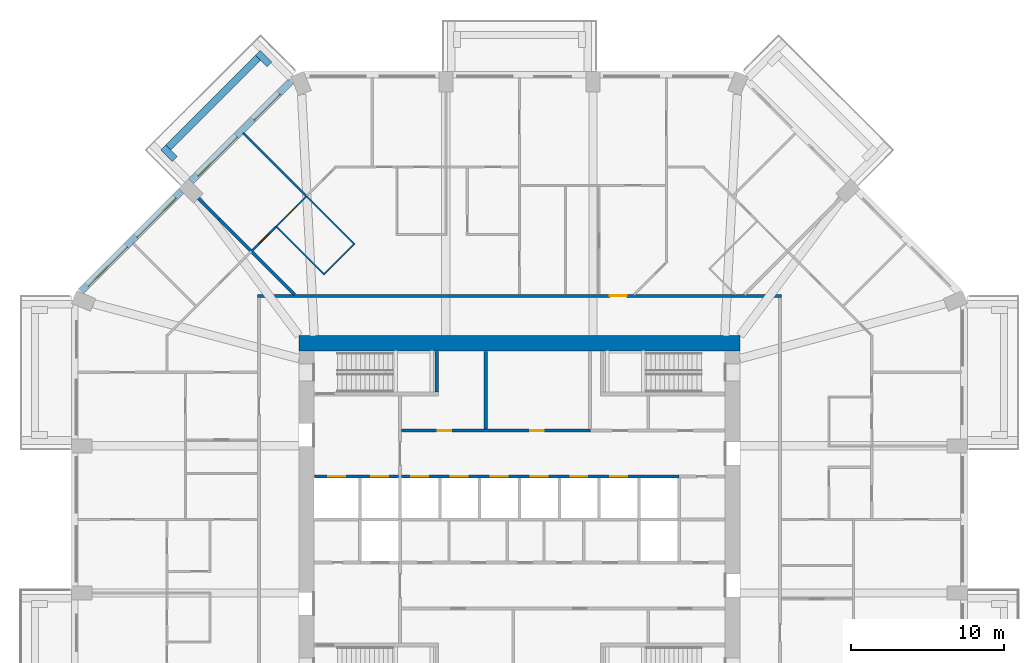
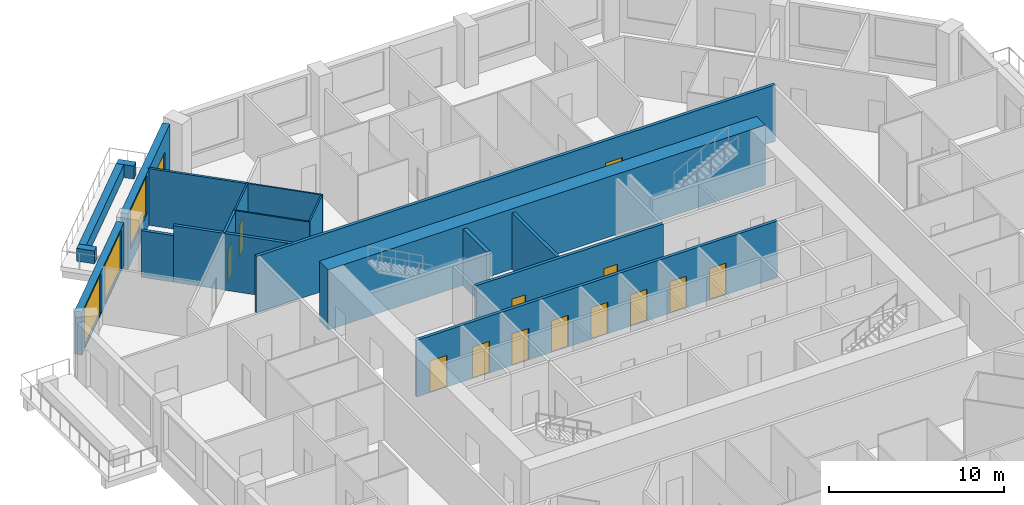
# One storey, part 8 of 13: 19 walls, 14 doors, 3 windows, 17 openings.
"""IFC4 building model written with IfcOpenShell, lengths in metres."""

from ifc_helpers import new_model, si_unit, direction, frame, frame_2d, origin, place, context, subcontext, project, spatial, rectangle, extrude, material, layer, layer_set, type_object, element, fill, save


model = new_model("IFC4")

# Units and contexts
model_context = context("Model", 3, precision=1e-05, world=origin(), true_north=direction((0.0, 1.0)))
body_context = subcontext(model_context, "Body", "Model", "MODEL_VIEW")
ifc_project = project(units=[si_unit("LENGTHUNIT", "METRE"), si_unit("AREAUNIT", "SQUARE_METRE"), si_unit("VOLUMEUNIT", "CUBIC_METRE"), si_unit("PLANEANGLEUNIT", "RADIAN"), si_unit("MASSUNIT", "GRAM", prefix="KILO")], contexts=[model_context])

# Site, building, storey
site_placement = place(None, origin())
site = spatial("IfcSite", under=ifc_project, at=site_placement, CompositionType="ELEMENT")
building_placement = place(site_placement, origin())
building = spatial("IfcBuilding", under=site, at=building_placement, Name="Msitu Wima Residences", CompositionType="ELEMENT")
storey_placement = place(building_placement, frame((0.0, 0.0, 33.89990234375)))
storey = spatial("IfcBuildingStorey", under=building, at=storey_placement, Name="L07", CompositionType="ELEMENT", Elevation=33.89990234375)

# Walls
ifc_material_1 = material(Name="Facing brick")
ifc_layer_1 = layer(ifc_material_1, 0.06494140625, Name="Facing brick")
ifc_material_2 = material(Name="Concrete C40/50", Category="concrete")
ifc_layer_2 = layer(ifc_material_2, 0.156005859375, Name="Concrete C40/50")
ifc_material_3 = material(Name="Waterproofing membrane")
ifc_layer_3 = layer(ifc_material_3, 0.00390625, Name="Waterproofing membrane")
ifc_material_4 = material(Name="Planting soil and planting")
ifc_layer_4 = layer(ifc_material_4, 0.22509765625, Name="Planting soil and planting")
ifc_layer_set_1 = layer_set([ifc_layer_1, ifc_layer_2, ifc_layer_3, ifc_layer_4], Name="Concrete C40/50")
wall_type_1 = type_object("IfcWallType", Name="Balcony planter PLANTER PL450", PredefinedType="USERDEFINED", material=ifc_layer_set_1)
wall_1_placement = place(storey_placement, frame((-17.0693359375, 30.125732421875, 0.0), z_axis=(0.0, 0.0, 1.0), x_axis=(-0.707106781187, -0.707106781187, 0.0)))
element("IfcWall", 1, at=wall_1_placement, inside=storey, type_object=wall_type_1, Name="Balcony planter NW0 L07", ObjectType="PLANTER", PredefinedType="USERDEFINED", context=body_context, shape_type="SweptSolid", body=[
    extrude(rectangle(XDim=8.2822265625, YDim=0.449951171875, at=frame_2d((4.14111328125, 0.0))), origin(), (0.0, 0.0, 1.0), 0.900146484375),
])
for number, where, z_axis, x_axis, name in (
    (2, (-16.326904296875, 29.70166015625, 0.0), (0.0, 0.0, 1.0), (-0.707106781187, 0.707106781187, 0.0), "Balcony planter NW0 L07"),
    (3, (-22.50146484375, 23.52685546875, 0.0), (0.0, 0.0, 1.0), (-0.707223014731, 0.706990528533, 0.0), "Balcony planter NW0 L07"),
):
    element("IfcWall", number, at=place(storey_placement, frame(where, z_axis=z_axis, x_axis=x_axis)), inside=storey, type_object=wall_type_1, Name=name, ObjectType="PLANTER", PredefinedType="USERDEFINED", context=body_context, shape_type="SweptSolid", body=[
        extrude(rectangle(XDim=1.050048828125, YDim=0.449951171875, at=frame_2d((0.52490234375, 0.0))), origin(), (0.0, 0.0, 1.0), 0.900146484375),
    ])

# Wall, openings, door, window
ifc_material_5 = material(Name="Brick (red buff mix)", Category="masonry")
ifc_layer_5 = layer(ifc_material_5, 0.449951171875)
ifc_layer_set_2 = layer_set([ifc_layer_5], Name="Brick (red buff mix)")
wall_type_2 = type_object("IfcWallType", Name="Brick infill wall BW450", PredefinedType="SOLIDWALL", material=ifc_layer_set_2)
wall_2_placement = place(storey_placement, frame((-14.903564453125, 28.61474609375, 0.0), z_axis=(0.0, 0.0, 1.0), x_axis=(-0.707106781187, -0.707106781187, 0.0)))
wall_2 = element("IfcWall", 4, at=wall_2_placement, inside=storey, type_object=wall_type_2, Name="Brick infill wall L07 NW0", PredefinedType="SOLIDWALL", context=body_context, shape_type="SweptSolid", body=[
    extrude(rectangle(XDim=9.2451171875, YDim=0.449951171875, at=frame_2d((4.62255859375, 0.0))), origin(), (0.0, 0.0, 1.0), 3.900146484375),
])
opening_1_placement = place(wall_2_placement, frame((1.111328125, 0.0, 0.0)))
opening_1 = element("IfcOpeningElement", 5, at=opening_1_placement, cuts=wall_2, Name="Opening D05-07.005", PredefinedType="OPENING", context=body_context, shape_type="SweptSolid", body=[
    extrude(rectangle(XDim=2.39990234375, YDim=2.699951171875, at=frame_2d((1.199951171875, 1.35009765625))), frame((0.0, 0.23486328125, 0.0), z_axis=(0.0, -1.0, 0.0), x_axis=(1.0, 0.0, 0.0)), (0.0, 0.0, 1.0), 0.469970703125),
])
opening_2_placement = place(wall_2_placement, frame((5.072509765625, 0.0, 1.050048828125)))
opening_2 = element("IfcOpeningElement", 6, at=opening_2_placement, cuts=wall_2, Name="Opening W05-07.013", PredefinedType="OPENING", context=body_context, shape_type="SweptSolid", body=[
    extrude(rectangle(XDim=3.60009765625, YDim=2.699951171875, at=frame_2d((1.800048828125, 1.35009765625))), frame((0.0, 0.23486328125, 0.0), z_axis=(0.0, -1.0, 0.0), x_axis=(1.0, 0.0, 0.0)), (0.0, 0.0, 1.0), 0.469970703125),
])
ifc_material_6 = material(Name="Anodised aluminium, bronze finish, clear low-emissivity double glazing", Category="aluminium")
door_type_1 = type_object("IfcDoorType", Name="Balcony door D2400x2700", OperationType="SLIDING_TO_LEFT", PredefinedType="DOOR", material=ifc_material_6)
door_1_placement = place(opening_1_placement, origin())
door_1 = element("IfcDoor", 7, at=door_1_placement, inside=storey, type_object=door_type_1, Name="Balcony door L07 NW0", OperationType="SINGLE_SWING_LEFT", OverallHeight=2.699951171875, OverallWidth=2.39990234375, PredefinedType="DOOR", context=body_context, shape_type="SweptSolid", body=[
    extrude(rectangle(XDim=2.39990234375, YDim=2.699951171875, at=frame_2d((1.199951171875, 1.35009765625))), frame((0.0, 0.1298828125, 0.0), z_axis=(0.0, -1.0, 0.0), x_axis=(1.0, 0.0, 0.0)), (0.0, 0.0, 1.0), 0.050048828125),
])
fill(opening_1, door_1)
window_type = type_object("IfcWindowType", Name="Window W3600x2700", PartitioningType="DOUBLE_PANEL_VERTICAL", PredefinedType="WINDOW", material=ifc_material_6)
window_1_placement = place(opening_2_placement, origin())
window_1 = element("IfcWindow", 8, at=window_1_placement, inside=storey, type_object=window_type, Name="Window L07 NW0.2", OverallHeight=2.699951171875, OverallWidth=3.60009765625, PartitioningType="SINGLE_PANEL", PredefinedType="WINDOW", context=body_context, shape_type="SweptSolid", body=[
    extrude(rectangle(XDim=3.60009765625, YDim=2.699951171875, at=frame_2d((1.800048828125, 1.35009765625))), frame((0.0, 0.135009765625, 0.0), z_axis=(0.0, -1.0, 0.0), x_axis=(1.0, 0.0, 0.0)), (0.0, 0.0, 1.0), 0.06005859375),
])
fill(opening_2, window_1)

# Wall, openings, windows
wall_3_placement = place(storey_placement, frame((-22.077392578125, 21.44091796875, 0.900146484375), z_axis=(0.0, 0.0, 1.0), x_axis=(-0.707106781187, -0.707106781187, 0.0)))
wall_3 = element("IfcWall", 9, at=wall_3_placement, inside=storey, type_object=wall_type_2, Name="Brick infill wall L07 NW1", PredefinedType="SOLIDWALL", context=body_context, shape_type="SweptSolid", body=[
    extrude(rectangle(XDim=9.2451171875, YDim=0.449951171875, at=frame_2d((4.62255859375, 0.0))), origin(), (0.0, 0.0, 1.0), 3.0),
])
opening_3_placement = place(wall_3_placement, frame((0.572509765625, 0.0, 0.14990234375)))
opening_3 = element("IfcOpeningElement", 10, at=opening_3_placement, cuts=wall_3, Name="Opening W05-07.014", PredefinedType="OPENING", context=body_context, shape_type="SweptSolid", body=[
    extrude(rectangle(XDim=3.60009765625, YDim=2.699951171875, at=frame_2d((1.800048828125, 1.35009765625))), frame((0.0, 0.23486328125, 0.0), z_axis=(0.0, -1.0, 0.0), x_axis=(1.0, 0.0, 0.0)), (0.0, 0.0, 1.0), 0.469970703125),
])
opening_4_placement = place(wall_3_placement, frame((5.072509765625, 0.0, 0.14990234375)))
opening_4 = element("IfcOpeningElement", 11, at=opening_4_placement, cuts=wall_3, Name="Opening W05-07.015", PredefinedType="OPENING", context=body_context, shape_type="SweptSolid", body=[
    extrude(rectangle(XDim=3.60009765625, YDim=2.699951171875, at=frame_2d((1.800048828125, 1.35009765625))), frame((0.0, 0.23486328125, 0.0), z_axis=(0.0, -1.0, 0.0), x_axis=(1.0, 0.0, 0.0)), (0.0, 0.0, 1.0), 0.469970703125),
])
window_2_placement = place(opening_3_placement, origin())
window_2 = element("IfcWindow", 12, at=window_2_placement, inside=storey, type_object=window_type, Name="Window L07 NW1.1", OverallHeight=2.699951171875, OverallWidth=3.60009765625, PartitioningType="SINGLE_PANEL", PredefinedType="WINDOW", context=body_context, shape_type="SweptSolid", body=[
    extrude(rectangle(XDim=3.60009765625, YDim=2.699951171875, at=frame_2d((1.800048828125, 1.35009765625))), frame((0.0, 0.135009765625, 0.0), z_axis=(0.0, -1.0, 0.0), x_axis=(1.0, 0.0, 0.0)), (0.0, 0.0, 1.0), 0.06005859375),
])
fill(opening_3, window_2)
window_3_placement = place(opening_4_placement, origin())
window_3 = element("IfcWindow", 13, at=window_3_placement, inside=storey, type_object=window_type, Name="Window L07 NW1.2", OverallHeight=2.699951171875, OverallWidth=3.60009765625, PartitioningType="SINGLE_PANEL", PredefinedType="WINDOW", context=body_context, shape_type="SweptSolid", body=[
    extrude(rectangle(XDim=3.60009765625, YDim=2.699951171875, at=frame_2d((1.800048828125, 1.35009765625))), frame((0.0, 0.135009765625, 0.0), z_axis=(0.0, -1.0, 0.0), x_axis=(1.0, 0.0, 0.0)), (0.0, 0.0, 1.0), 0.06005859375),
])
fill(opening_4, window_3)

# Wall
ifc_material_7 = material(Name="Concrete C80/95", Category="concrete")
ifc_layer_6 = layer(ifc_material_7, 1.0)
ifc_layer_set_3 = layer_set([ifc_layer_6], Name="Concrete C80/95")
wall_type_3 = type_object("IfcWallType", Name="Core wall CW1000 C80/95", PredefinedType="SHEAR", material=ifc_layer_set_3)
wall_4_placement = place(storey_placement, frame((-14.39990234375, 11.5, 0.0), z_axis=(0.0, 0.0, 1.0), x_axis=(1.0, 0.0, 0.0)))
element("IfcWall", 14, at=wall_4_placement, inside=storey, type_object=wall_type_3, Name="Core wall", PredefinedType="SHEAR", context=body_context, shape_type="SweptSolid", body=[
    extrude(rectangle(XDim=28.7998046875, YDim=1.0, at=frame_2d((14.39990234375, 0.0))), origin(), (0.0, 0.0, 1.0), 4.2001953125),
])

# Wall, opening, door
ifc_material_8 = material(Name="Plaster")
ifc_layer_7 = layer(ifc_material_8, 0.011962890625, Name="Plaster")
ifc_material_9 = material(Name="Concrete blockwork", Category="masonry")
ifc_layer_8 = layer(ifc_material_9, 0.176025390625, Name="Concrete blockwork")
ifc_layer_9 = layer(ifc_material_8, 0.011962890625, Name="Plaster")
ifc_layer_set_4 = layer_set([ifc_layer_7, ifc_layer_8, ifc_layer_9], Name="Concrete blockwork")
wall_type_4 = type_object("IfcWallType", Name="Corridor wall FW200", PredefinedType="PARTITIONING", material=ifc_layer_set_4)
wall_5_placement = place(storey_placement, frame((-17.10009765625, 14.60009765625, 0.0), z_axis=(0.0, 0.0, 1.0), x_axis=(1.0, 0.0, 0.0)))
wall_5 = element("IfcWall", 15, at=wall_5_placement, inside=storey, type_object=wall_type_4, Name="Corridor wall", PredefinedType="PARTITIONING", context=body_context, shape_type="SweptSolid", body=[
    extrude(rectangle(XDim=34.2001953125, YDim=0.199951171875, at=frame_2d((17.10009765625, 0.0))), origin(), (0.0, 0.0, 1.0), 3.9501953125),
])
opening_5_placement = place(wall_5_placement, frame((23.0, 0.0, 0.0)))
opening_5 = element("IfcOpeningElement", 16, at=opening_5_placement, cuts=wall_5, Name="Opening D05-07.012", PredefinedType="OPENING", context=body_context, shape_type="SweptSolid", body=[
    extrude(rectangle(XDim=1.10009765625, YDim=2.39990234375, at=frame_2d((0.550048828125, 1.199951171875))), frame((0.0, 0.10986328125, 0.0), z_axis=(0.0, -1.0, 0.0), x_axis=(1.0, 0.0, 0.0)), (0.0, 0.0, 1.0), 0.219970703125),
])
ifc_material_10 = material(Name="Timber flush door, fire resisting, self-closing", Category="wood")
door_type_2 = type_object("IfcDoorType", Name="Flat entrance door D01 1100x2400", OperationType="SINGLE_SWING_LEFT", PredefinedType="DOOR", material=ifc_material_10)
door_2_placement = place(opening_5_placement, origin())
door_2 = element("IfcDoor", 17, at=door_2_placement, inside=storey, type_object=door_type_2, Name="Flat entrance door", OperationType="SINGLE_SWING_RIGHT", OverallHeight=2.39990234375, OverallWidth=1.10009765625, PredefinedType="DOOR", context=body_context, shape_type="SweptSolid", body=[
    extrude(rectangle(XDim=1.10009765625, YDim=2.39990234375, at=frame_2d((0.550048828125, 1.199951171875))), frame((0.0, 0.02490234375, 0.0), z_axis=(0.0, -1.0, 0.0), x_axis=(1.0, 0.0, 0.0)), (0.0, 0.0, 1.0), 0.050048828125),
])
fill(opening_5, door_2)

# Wall
ifc_layer_10 = layer(ifc_material_8, 0.011962890625, Name="Plaster")
ifc_layer_11 = layer(ifc_material_9, 0.1259765625, Name="Concrete blockwork")
ifc_layer_12 = layer(ifc_material_8, 0.011962890625, Name="Plaster")
ifc_layer_set_5 = layer_set([ifc_layer_10, ifc_layer_11, ifc_layer_12], Name="Concrete blockwork")
wall_type_5 = type_object("IfcWallType", Name="Partition PW150", PredefinedType="PARTITIONING", material=ifc_layer_set_5)
wall_6_placement = place(storey_placement, frame((-18.038818359375, 25.23876953125, 0.0), z_axis=(0.0, 0.0, 1.0), x_axis=(0.707127559195, -0.707086002568, 0.0)))
element("IfcWall", 18, at=wall_6_placement, inside=storey, type_object=wall_type_5, Name="Partition", PredefinedType="PARTITIONING", context=body_context, shape_type="SweptSolid", body=[
    extrude(rectangle(XDim=5.875, YDim=0.14990234375, at=frame_2d((2.9375, 0.0))), origin(), (0.0, 0.0, 1.0), 3.9501953125),
])

# Wall, opening, door
wall_7_placement = place(storey_placement, frame((-17.498779296875, 17.498779296875, 0.0), z_axis=(0.0, 0.0, 1.0), x_axis=(0.707106781187, 0.707106781187, 0.0)))
wall_7 = element("IfcWall", 19, at=wall_7_placement, inside=storey, type_object=wall_type_5, Name="Partition", PredefinedType="PARTITIONING", context=body_context, shape_type="SweptSolid", body=[
    extrude(rectangle(XDim=2.271240234375, YDim=0.14990234375, at=frame_2d((1.1357421875, 0.0))), origin(), (0.0, 0.0, 1.0), 3.9501953125),
])
opening_6_placement = place(wall_7_placement, frame((0.699951171875, 0.0, 0.0)))
opening_6 = element("IfcOpeningElement", 20, at=opening_6_placement, cuts=wall_7, Name="Opening D05-07.057", PredefinedType="OPENING", context=body_context, shape_type="SweptSolid", body=[
    extrude(rectangle(XDim=0.949951171875, YDim=2.199951171875, at=frame_2d((0.47509765625, 1.10009765625))), frame((0.0, 0.0849609375, 0.0), z_axis=(0.0, -1.0, 0.0), x_axis=(1.0, 0.0, 0.0)), (0.0, 0.0, 1.0), 0.169921875),
])
ifc_material_11 = material(Name="Timber flush door", Category="wood")
door_type_3 = type_object("IfcDoorType", Name="Room door D12 950x2200", OperationType="SINGLE_SWING_LEFT", PredefinedType="DOOR", material=ifc_material_11)
door_3_placement = place(opening_6_placement, origin())
door_3 = element("IfcDoor", 21, at=door_3_placement, inside=storey, type_object=door_type_3, Name="Room door", OperationType="SINGLE_SWING_LEFT", OverallHeight=2.199951171875, OverallWidth=0.949951171875, PredefinedType="DOOR", context=body_context, shape_type="SweptSolid", body=[
    extrude(rectangle(XDim=0.949951171875, YDim=2.199951171875, at=frame_2d((0.47509765625, 1.10009765625))), frame((0.0, 0.02490234375, 0.0), z_axis=(0.0, -1.0, 0.0), x_axis=(1.0, 0.0, 0.0)), (0.0, 0.0, 1.0), 0.050048828125),
])
fill(opening_6, door_3)

# Walls
ifc_layer_13 = layer(ifc_material_8, 0.011962890625, Name="Plaster")
ifc_material_12 = material(Name="Dense concrete blockwork", Category="masonry")
ifc_layer_14 = layer(ifc_material_12, 0.176025390625, Name="Dense concrete blockwork")
ifc_layer_15 = layer(ifc_material_8, 0.011962890625, Name="Plaster")
ifc_layer_set_6 = layer_set([ifc_layer_13, ifc_layer_14, ifc_layer_15], Name="Dense concrete blockwork")
wall_type_6 = type_object("IfcWallType", Name="Party wall PW200", PredefinedType="PARTITIONING", material=ifc_layer_set_6)
wall_8_placement = place(storey_placement, frame((-20.963623046875, 20.963623046875, 0.0), z_axis=(0.0, 0.0, 1.0), x_axis=(0.707106781187, -0.707106781187, 0.0)))
element("IfcWall", 22, at=wall_8_placement, inside=storey, type_object=wall_type_6, Name="Party wall", PredefinedType="PARTITIONING", context=body_context, shape_type="SweptSolid", body=[
    extrude(rectangle(XDim=1.92041015625, YDim=0.199951171875, at=frame_2d((0.960205078125, 0.0))), origin(), (0.0, 0.0, 1.0), 3.25),
])
wall_9_placement = place(storey_placement, frame((-19.605712890625, 19.605712890625, 0.0), z_axis=(0.0, 0.0, 1.0), x_axis=(0.707106781187, -0.707106781187, 0.0)))
element("IfcWall", 23, at=wall_9_placement, inside=storey, type_object=wall_type_6, Name="Party wall", PredefinedType="PARTITIONING", context=body_context, shape_type="SweptSolid", body=[
    extrude(rectangle(XDim=6.979248046875, YDim=0.199951171875, at=frame_2d((3.48974609375, 0.0))), origin(), (0.0, 0.0, 1.0), 3.9501953125),
])

# Wall, openings, doors
ifc_layer_16 = layer(ifc_material_8, 0.011962890625, Name="Plaster")
ifc_material_13 = material(Name="Reinforced concrete blockwork", Category="masonry")
ifc_layer_17 = layer(ifc_material_13, 0.176025390625, Name="Reinforced concrete blockwork")
ifc_layer_18 = layer(ifc_material_8, 0.011962890625, Name="Plaster")
ifc_layer_set_7 = layer_set([ifc_layer_16, ifc_layer_17, ifc_layer_18], Name="Reinforced concrete blockwork")
wall_type_7 = type_object("IfcWallType", Name="Plant and riser wall PL200", PredefinedType="PARTITIONING", material=ifc_layer_set_7)
wall_10_placement = place(storey_placement, frame((-7.699951171875, 5.800048828125, 0.0), z_axis=(0.0, 0.0, 1.0), x_axis=(1.0, 0.0, 0.0)))
wall_10 = element("IfcWall", 24, at=wall_10_placement, inside=storey, type_object=wall_type_7, Name="Plant and riser wall", PredefinedType="PARTITIONING", context=body_context, shape_type="SweptSolid", body=[
    extrude(rectangle(XDim=12.320068359375, YDim=0.199951171875, at=frame_2d((6.16015625, 0.0))), origin(), (0.0, 0.0, 1.0), 3.9501953125),
])
opening_7_placement = place(wall_10_placement, frame((2.35009765625, 0.0, 0.0)))
opening_7 = element("IfcOpeningElement", 25, at=opening_7_placement, cuts=wall_10, Name="Opening D05-07.020", PredefinedType="OPENING", context=body_context, shape_type="SweptSolid", body=[
    extrude(rectangle(XDim=0.89990234375, YDim=2.199951171875, at=frame_2d((0.449951171875, 1.10009765625))), frame((0.0, 0.10986328125, 0.0), z_axis=(0.0, -1.0, 0.0), x_axis=(1.0, 0.0, 0.0)), (0.0, 0.0, 1.0), 0.219970703125),
])
opening_8_placement = place(wall_10_placement, frame((8.39990234375, 0.0, 0.0)))
opening_8 = element("IfcOpeningElement", 26, at=opening_8_placement, cuts=wall_10, Name="Opening D05-07.021", PredefinedType="OPENING", context=body_context, shape_type="SweptSolid", body=[
    extrude(rectangle(XDim=0.89990234375, YDim=2.199951171875, at=frame_2d((0.449951171875, 1.10009765625))), frame((0.0, 0.10986328125, 0.0), z_axis=(0.0, -1.0, 0.0), x_axis=(1.0, 0.0, 0.0)), (0.0, 0.0, 1.0), 0.219970703125),
])
door_type_4 = type_object("IfcDoorType", Name="Service door D05 900x2200", OperationType="SINGLE_SWING_LEFT", PredefinedType="DOOR", material=ifc_material_11)
door_4_placement = place(opening_7_placement, origin())
door_4 = element("IfcDoor", 27, at=door_4_placement, inside=storey, type_object=door_type_4, Name="Service door", OperationType="SINGLE_SWING_RIGHT", OverallHeight=2.199951171875, OverallWidth=0.89990234375, PredefinedType="DOOR", context=body_context, shape_type="SweptSolid", body=[
    extrude(rectangle(XDim=0.89990234375, YDim=2.199951171875, at=frame_2d((0.449951171875, 1.10009765625))), frame((0.0, 0.02490234375, 0.0), z_axis=(0.0, -1.0, 0.0), x_axis=(1.0, 0.0, 0.0)), (0.0, 0.0, 1.0), 0.050048828125),
])
fill(opening_7, door_4)
door_5_placement = place(opening_8_placement, origin())
door_5 = element("IfcDoor", 28, at=door_5_placement, inside=storey, type_object=door_type_4, Name="Service door", OperationType="SINGLE_SWING_LEFT", OverallHeight=2.199951171875, OverallWidth=0.89990234375, PredefinedType="DOOR", context=body_context, shape_type="SweptSolid", body=[
    extrude(rectangle(XDim=0.89990234375, YDim=2.199951171875, at=frame_2d((0.449951171875, 1.10009765625))), frame((0.0, 0.02490234375, 0.0), z_axis=(0.0, -1.0, 0.0), x_axis=(1.0, 0.0, 0.0)), (0.0, 0.0, 1.0), 0.050048828125),
])
fill(opening_8, door_5)

# Wall
wall_11_placement = place(storey_placement, frame((-2.199951171875, 5.89990234375, 0.0), z_axis=(0.0, 0.0, 1.0), x_axis=(0.0, 1.0, 0.0)))
element("IfcWall", 29, at=wall_11_placement, inside=storey, type_object=wall_type_7, Name="Plant and riser wall", PredefinedType="PARTITIONING", context=body_context, shape_type="SweptSolid", body=[
    extrude(rectangle(XDim=5.070068359375, YDim=0.199951171875, at=frame_2d((2.53515625, 0.0))), origin(), (0.0, 0.0, 1.0), 3.9501953125),
])

# Wall, openings, doors
ifc_material_14 = material(Name="Fire-rated board")
ifc_layer_19 = layer(ifc_material_14, 0.02490234375, Name="Fire-rated board")
ifc_material_15 = material(Name="Light-gauge stud framing with mineral wool")
ifc_layer_20 = layer(ifc_material_15, 0.14990234375, Name="Light-gauge stud framing with mineral wool")
ifc_layer_21 = layer(ifc_material_14, 0.02490234375, Name="Fire-rated board")
ifc_layer_set_8 = layer_set([ifc_layer_19, ifc_layer_20, ifc_layer_21], Name="Light-gauge stud framing with mineral wool")
wall_type_8 = type_object("IfcWallType", Name="Shaft wall SH200", PredefinedType="PARTITIONING", material=ifc_layer_set_8)
wall_12_placement = place(storey_placement, frame((-13.3701171875, 2.800048828125, 0.0), z_axis=(0.0, 0.0, 1.0), x_axis=(1.0, 0.0, 0.0)))
wall_12 = element("IfcWall", 30, at=wall_12_placement, inside=storey, type_object=wall_type_8, Name="Shaft wall", PredefinedType="PARTITIONING", context=body_context, shape_type="SweptSolid", body=[
    extrude(rectangle(XDim=23.77001953125, YDim=0.199951171875, at=frame_2d((11.885009765625, 0.0))), origin(), (0.0, 0.0, 1.0), 3.9501953125),
])
opening_9_placement = place(wall_12_placement, frame((0.89990234375, 0.0, 0.0)))
opening_9 = element("IfcOpeningElement", 31, at=opening_9_placement, cuts=wall_12, Name="Opening LD", PredefinedType="OPENING", context=body_context, shape_type="SweptSolid", body=[
    extrude(rectangle(XDim=1.10009765625, YDim=2.199951171875, at=frame_2d((0.550048828125, 1.10009765625))), frame((0.0, 0.10986328125, 0.0), z_axis=(0.0, -1.0, 0.0), x_axis=(1.0, 0.0, 0.0)), (0.0, 0.0, 1.0), 0.219970703125),
])
opening_10_placement = place(wall_12_placement, frame((3.699951171875, 0.0, 0.0)))
opening_10 = element("IfcOpeningElement", 32, at=opening_10_placement, cuts=wall_12, Name="Opening LD", PredefinedType="OPENING", context=body_context, shape_type="SweptSolid", body=[
    extrude(rectangle(XDim=1.10009765625, YDim=2.199951171875, at=frame_2d((0.550048828125, 1.10009765625))), frame((0.0, 0.10986328125, 0.0), z_axis=(0.0, -1.0, 0.0), x_axis=(1.0, 0.0, 0.0)), (0.0, 0.0, 1.0), 0.219970703125),
])
opening_11_placement = place(wall_12_placement, frame((6.300048828125, 0.0, 0.0)))
opening_11 = element("IfcOpeningElement", 33, at=opening_11_placement, cuts=wall_12, Name="Opening LD", PredefinedType="OPENING", context=body_context, shape_type="SweptSolid", body=[
    extrude(rectangle(XDim=1.10009765625, YDim=2.199951171875, at=frame_2d((0.550048828125, 1.10009765625))), frame((0.0, 0.10986328125, 0.0), z_axis=(0.0, -1.0, 0.0), x_axis=(1.0, 0.0, 0.0)), (0.0, 0.0, 1.0), 0.219970703125),
])
opening_12_placement = place(wall_12_placement, frame((8.89990234375, 0.0, 0.0)))
opening_12 = element("IfcOpeningElement", 34, at=opening_12_placement, cuts=wall_12, Name="Opening LD", PredefinedType="OPENING", context=body_context, shape_type="SweptSolid", body=[
    extrude(rectangle(XDim=1.10009765625, YDim=2.199951171875, at=frame_2d((0.550048828125, 1.10009765625))), frame((0.0, 0.10986328125, 0.0), z_axis=(0.0, -1.0, 0.0), x_axis=(1.0, 0.0, 0.0)), (0.0, 0.0, 1.0), 0.219970703125),
])
opening_13_placement = place(wall_12_placement, frame((11.5, 0.0, 0.0)))
opening_13 = element("IfcOpeningElement", 35, at=opening_13_placement, cuts=wall_12, Name="Opening LD", PredefinedType="OPENING", context=body_context, shape_type="SweptSolid", body=[
    extrude(rectangle(XDim=1.10009765625, YDim=2.199951171875, at=frame_2d((0.550048828125, 1.10009765625))), frame((0.0, 0.10986328125, 0.0), z_axis=(0.0, -1.0, 0.0), x_axis=(1.0, 0.0, 0.0)), (0.0, 0.0, 1.0), 0.219970703125),
])
opening_14_placement = place(wall_12_placement, frame((14.10009765625, 0.0, 0.0)))
opening_14 = element("IfcOpeningElement", 36, at=opening_14_placement, cuts=wall_12, Name="Opening LD", PredefinedType="OPENING", context=body_context, shape_type="SweptSolid", body=[
    extrude(rectangle(XDim=1.10009765625, YDim=2.199951171875, at=frame_2d((0.550048828125, 1.10009765625))), frame((0.0, 0.10986328125, 0.0), z_axis=(0.0, -1.0, 0.0), x_axis=(1.0, 0.0, 0.0)), (0.0, 0.0, 1.0), 0.219970703125),
])
opening_15_placement = place(wall_12_placement, frame((16.699951171875, 0.0, 0.0)))
opening_15 = element("IfcOpeningElement", 37, at=opening_15_placement, cuts=wall_12, Name="Opening LD", PredefinedType="OPENING", context=body_context, shape_type="SweptSolid", body=[
    extrude(rectangle(XDim=1.10009765625, YDim=2.199951171875, at=frame_2d((0.550048828125, 1.10009765625))), frame((0.0, 0.10986328125, 0.0), z_axis=(0.0, -1.0, 0.0), x_axis=(1.0, 0.0, 0.0)), (0.0, 0.0, 1.0), 0.219970703125),
])
opening_16_placement = place(wall_12_placement, frame((19.300048828125, 0.0, 0.0)))
opening_16 = element("IfcOpeningElement", 38, at=opening_16_placement, cuts=wall_12, Name="Opening LD", PredefinedType="OPENING", context=body_context, shape_type="SweptSolid", body=[
    extrude(rectangle(XDim=1.10009765625, YDim=2.199951171875, at=frame_2d((0.550048828125, 1.10009765625))), frame((0.0, 0.10986328125, 0.0), z_axis=(0.0, -1.0, 0.0), x_axis=(1.0, 0.0, 0.0)), (0.0, 0.0, 1.0), 0.219970703125),
])
ifc_material_16 = material(Name="Stainless steel centre-opening landing door, rated", Category="steel")
door_type_5 = type_object("IfcDoorType", Name="Lift landing door LD 1100x2200", OperationType="DOUBLE_DOOR_SLIDING", PredefinedType="DOOR", material=ifc_material_16)
door_6_placement = place(opening_9_placement, origin())
door_6 = element("IfcDoor", 39, at=door_6_placement, inside=storey, type_object=door_type_5, Name="Lift landing door LD1", OperationType="DOUBLE_DOOR_SLIDING", OverallHeight=2.199951171875, OverallWidth=1.10009765625, PredefinedType="DOOR", context=body_context, shape_type="SweptSolid", body=[
    extrude(rectangle(XDim=1.10009765625, YDim=2.199951171875, at=frame_2d((0.550048828125, 1.10009765625))), frame((0.0, 0.02490234375, 0.0), z_axis=(0.0, -1.0, 0.0), x_axis=(1.0, 0.0, 0.0)), (0.0, 0.0, 1.0), 0.050048828125),
])
fill(opening_9, door_6)
door_7_placement = place(opening_10_placement, origin())
door_7 = element("IfcDoor", 40, at=door_7_placement, inside=storey, type_object=door_type_5, Name="Lift landing door LD2", OperationType="DOUBLE_DOOR_SLIDING", OverallHeight=2.199951171875, OverallWidth=1.10009765625, PredefinedType="DOOR", context=body_context, shape_type="SweptSolid", body=[
    extrude(rectangle(XDim=1.10009765625, YDim=2.199951171875, at=frame_2d((0.550048828125, 1.10009765625))), frame((0.0, 0.02490234375, 0.0), z_axis=(0.0, -1.0, 0.0), x_axis=(1.0, 0.0, 0.0)), (0.0, 0.0, 1.0), 0.050048828125),
])
fill(opening_10, door_7)
door_8_placement = place(opening_11_placement, origin())
door_8 = element("IfcDoor", 41, at=door_8_placement, inside=storey, type_object=door_type_5, Name="Lift landing door LD4", OperationType="DOUBLE_DOOR_SLIDING", OverallHeight=2.199951171875, OverallWidth=1.10009765625, PredefinedType="DOOR", context=body_context, shape_type="SweptSolid", body=[
    extrude(rectangle(XDim=1.10009765625, YDim=2.199951171875, at=frame_2d((0.550048828125, 1.10009765625))), frame((0.0, 0.02490234375, 0.0), z_axis=(0.0, -1.0, 0.0), x_axis=(1.0, 0.0, 0.0)), (0.0, 0.0, 1.0), 0.050048828125),
])
fill(opening_11, door_8)
door_9_placement = place(opening_12_placement, origin())
door_9 = element("IfcDoor", 42, at=door_9_placement, inside=storey, type_object=door_type_5, Name="Lift landing door LD6", OperationType="DOUBLE_DOOR_SLIDING", OverallHeight=2.199951171875, OverallWidth=1.10009765625, PredefinedType="DOOR", context=body_context, shape_type="SweptSolid", body=[
    extrude(rectangle(XDim=1.10009765625, YDim=2.199951171875, at=frame_2d((0.550048828125, 1.10009765625))), frame((0.0, 0.02490234375, 0.0), z_axis=(0.0, -1.0, 0.0), x_axis=(1.0, 0.0, 0.0)), (0.0, 0.0, 1.0), 0.050048828125),
])
fill(opening_12, door_9)
door_10_placement = place(opening_13_placement, origin())
door_10 = element("IfcDoor", 43, at=door_10_placement, inside=storey, type_object=door_type_5, Name="Lift landing door LD8", OperationType="DOUBLE_DOOR_SLIDING", OverallHeight=2.199951171875, OverallWidth=1.10009765625, PredefinedType="DOOR", context=body_context, shape_type="SweptSolid", body=[
    extrude(rectangle(XDim=1.10009765625, YDim=2.199951171875, at=frame_2d((0.550048828125, 1.10009765625))), frame((0.0, 0.02490234375, 0.0), z_axis=(0.0, -1.0, 0.0), x_axis=(1.0, 0.0, 0.0)), (0.0, 0.0, 1.0), 0.050048828125),
])
fill(opening_13, door_10)
door_11_placement = place(opening_14_placement, origin())
door_11 = element("IfcDoor", 44, at=door_11_placement, inside=storey, type_object=door_type_5, Name="Lift landing door LD10", OperationType="DOUBLE_DOOR_SLIDING", OverallHeight=2.199951171875, OverallWidth=1.10009765625, PredefinedType="DOOR", context=body_context, shape_type="SweptSolid", body=[
    extrude(rectangle(XDim=1.10009765625, YDim=2.199951171875, at=frame_2d((0.550048828125, 1.10009765625))), frame((0.0, 0.02490234375, 0.0), z_axis=(0.0, -1.0, 0.0), x_axis=(1.0, 0.0, 0.0)), (0.0, 0.0, 1.0), 0.050048828125),
])
fill(opening_14, door_11)
door_12_placement = place(opening_15_placement, origin())
door_12 = element("IfcDoor", 45, at=door_12_placement, inside=storey, type_object=door_type_5, Name="Lift landing door LD12", OperationType="DOUBLE_DOOR_SLIDING", OverallHeight=2.199951171875, OverallWidth=1.10009765625, PredefinedType="DOOR", context=body_context, shape_type="SweptSolid", body=[
    extrude(rectangle(XDim=1.10009765625, YDim=2.199951171875, at=frame_2d((0.550048828125, 1.10009765625))), frame((0.0, 0.02490234375, 0.0), z_axis=(0.0, -1.0, 0.0), x_axis=(1.0, 0.0, 0.0)), (0.0, 0.0, 1.0), 0.050048828125),
])
fill(opening_15, door_12)
door_13_placement = place(opening_16_placement, origin())
door_13 = element("IfcDoor", 46, at=door_13_placement, inside=storey, type_object=door_type_5, Name="Lift landing door LD14", OperationType="DOUBLE_DOOR_SLIDING", OverallHeight=2.199951171875, OverallWidth=1.10009765625, PredefinedType="DOOR", context=body_context, shape_type="SweptSolid", body=[
    extrude(rectangle(XDim=1.10009765625, YDim=2.199951171875, at=frame_2d((0.550048828125, 1.10009765625))), frame((0.0, 0.02490234375, 0.0), z_axis=(0.0, -1.0, 0.0), x_axis=(1.0, 0.0, 0.0)), (0.0, 0.0, 1.0), 0.050048828125),
])
fill(opening_16, door_13)

# Wall
ifc_material_17 = material(Name="Concrete C50/60", Category="concrete")
ifc_layer_22 = layer(ifc_material_17, 0.25)
ifc_layer_set_9 = layer_set([ifc_layer_22], Name="Concrete C50/60")
wall_type_9 = type_object("IfcWallType", Name="Stair enclosure wall SW250", PredefinedType="SHEAR", material=ifc_layer_set_9)
wall_13_placement = place(storey_placement, frame((-5.39990234375, 8.324951171875, 0.0), z_axis=(0.0, 0.0, 1.0), x_axis=(0.0, 1.0, 0.0)))
element("IfcWall", 47, at=wall_13_placement, inside=storey, type_object=wall_type_9, Name="Stair enclosure wall", PredefinedType="SHEAR", context=body_context, shape_type="SweptSolid", body=[
    extrude(rectangle(XDim=2.64501953125, YDim=0.25, at=frame_2d((1.322509765625, 0.0))), origin(), (0.0, 0.0, 1.0), 3.9501953125),
])

# Wall, opening, door
ifc_material_18 = material(Name="Ceramic tiles")
ifc_layer_23 = layer(ifc_material_18, 0.008056640625, Name="Ceramic tiles")
ifc_material_19 = material(Name="Moisture-resistant board")
ifc_layer_24 = layer(ifc_material_19, 0.012451171875, Name="Moisture-resistant board")
ifc_layer_25 = layer(ifc_material_15, 0.06689453125, Name="Light-gauge stud framing with mineral wool")
ifc_layer_26 = layer(ifc_material_19, 0.012451171875, Name="Moisture-resistant board")
ifc_layer_set_10 = layer_set([ifc_layer_23, ifc_layer_24, ifc_layer_25, ifc_layer_26], Name="Light-gauge stud framing with mineral wool")
wall_type_10 = type_object("IfcWallType", Name="Wet wall PW100", PredefinedType="PARTITIONING", material=ifc_layer_set_10)
wall_14_placement = place(storey_placement, frame((-15.892822265625, 19.104736328125, 0.0), z_axis=(0.0, 0.0, 1.0), x_axis=(0.707106781187, 0.707106781187, 0.0)))
wall_14 = element("IfcWall", 48, at=wall_14_placement, inside=storey, type_object=wall_type_10, Name="Wet wall", PredefinedType="PARTITIONING", context=body_context, shape_type="SweptSolid", body=[
    extrude(rectangle(XDim=2.840087890625, YDim=0.10009765625, at=frame_2d((1.419921875, 0.0))), origin(), (0.0, 0.0, 1.0), 3.9501953125),
])
opening_17_placement = place(wall_14_placement, frame((0.949951171875, 0.0, 0.0)))
opening_17 = element("IfcOpeningElement", 49, at=opening_17_placement, cuts=wall_14, Name="Opening D05-07.058", PredefinedType="OPENING", context=body_context, shape_type="SweptSolid", body=[
    extrude(rectangle(XDim=0.89990234375, YDim=2.199951171875, at=frame_2d((0.449951171875, 1.10009765625))), frame((0.0, 0.06005859375, 0.0), z_axis=(0.0, -1.0, 0.0), x_axis=(1.0, 0.0, 0.0)), (0.0, 0.0, 1.0), 0.1201171875),
])
ifc_material_20 = material(Name="Timber flush door, moisture resistant", Category="wood")
door_type_6 = type_object("IfcDoorType", Name="Bathroom door D03 900x2200", OperationType="SINGLE_SWING_LEFT", PredefinedType="DOOR", material=ifc_material_20)
door_14_placement = place(opening_17_placement, origin())
door_14 = element("IfcDoor", 50, at=door_14_placement, inside=storey, type_object=door_type_6, Name="Bathroom door", OperationType="SINGLE_SWING_RIGHT", OverallHeight=2.199951171875, OverallWidth=0.89990234375, PredefinedType="DOOR", context=body_context, shape_type="SweptSolid", body=[
    extrude(rectangle(XDim=0.89990234375, YDim=2.199951171875, at=frame_2d((0.449951171875, 1.10009765625))), frame((0.0, 0.02490234375, 0.0), z_axis=(0.0, -1.0, 0.0), x_axis=(1.0, 0.0, 0.0)), (0.0, 0.0, 1.0), 0.050048828125),
])
fill(opening_17, door_14)

# Walls
wall_15_placement = place(storey_placement, frame((-15.84326171875, 19.08349609375, 0.0), z_axis=(0.0, 0.0, 1.0), x_axis=(0.707106781187, -0.707106781187, 0.0)))
element("IfcWall", 51, at=wall_15_placement, inside=storey, type_object=wall_type_10, Name="Wet wall", PredefinedType="PARTITIONING", context=body_context, shape_type="SweptSolid", body=[
    extrude(rectangle(XDim=4.400146484375, YDim=0.10009765625, at=frame_2d((2.2001953125, 0.0))), origin(), (0.0, 0.0, 1.0), 3.9501953125),
])
wall_16_placement = place(storey_placement, frame((-13.884521484375, 21.084716796875, 0.0), z_axis=(0.0, 0.0, 1.0), x_axis=(0.707079224951, -0.707134336348, 0.0)))
element("IfcWall", 52, at=wall_16_placement, inside=storey, type_object=wall_type_10, Name="Wet wall", PredefinedType="PARTITIONING", context=body_context, shape_type="SweptSolid", body=[
    extrude(rectangle(XDim=4.429931640625, YDim=0.10009765625, at=frame_2d((2.21484375, 0.0))), origin(), (0.0, 0.0, 1.0), 3.9501953125),
])
wall_17_placement = place(storey_placement, frame((-12.73193359375, 16.04296875, 0.0), z_axis=(0.0, 0.0, 1.0), x_axis=(0.707106781187, 0.707106781187, 0.0)))
element("IfcWall", 53, at=wall_17_placement, inside=storey, type_object=wall_type_10, Name="Wet wall", PredefinedType="PARTITIONING", context=body_context, shape_type="SweptSolid", body=[
    extrude(rectangle(XDim=2.699951171875, YDim=0.10009765625, at=frame_2d((1.35009765625, 0.0))), origin(), (0.0, 0.0, 1.0), 3.9501953125),
])

save(model, "model.ifc")
